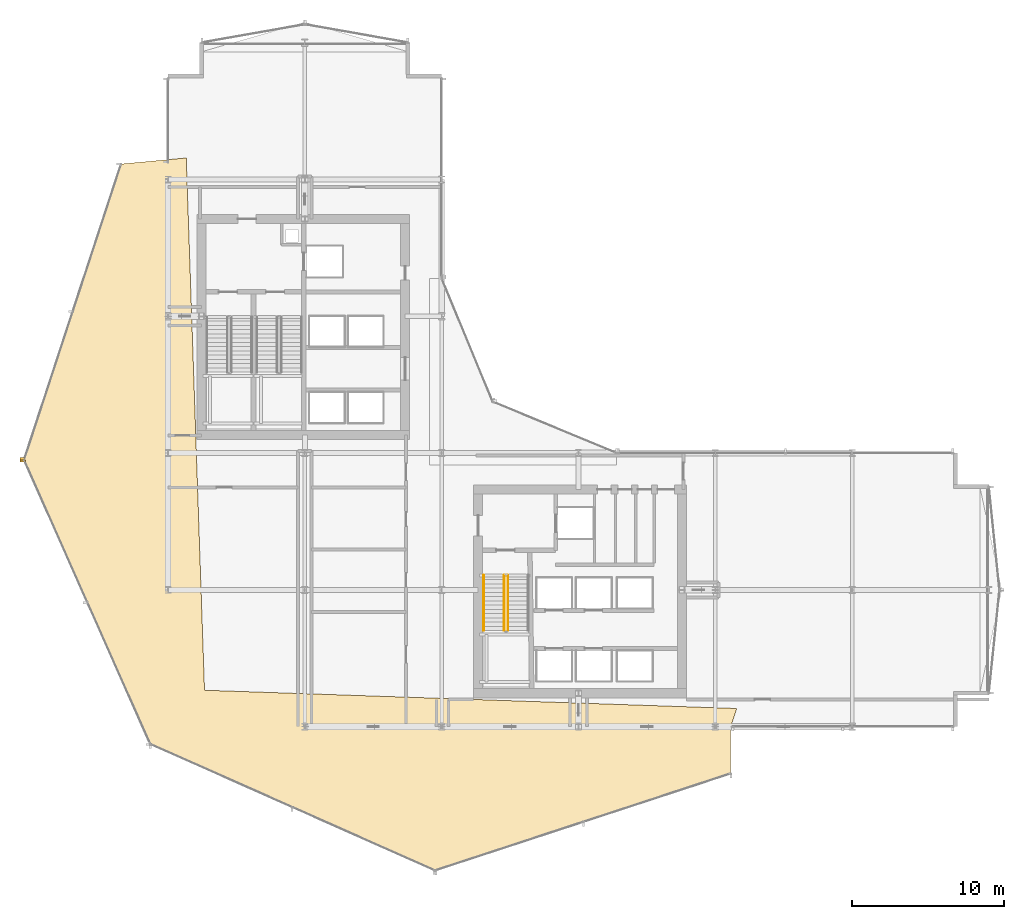
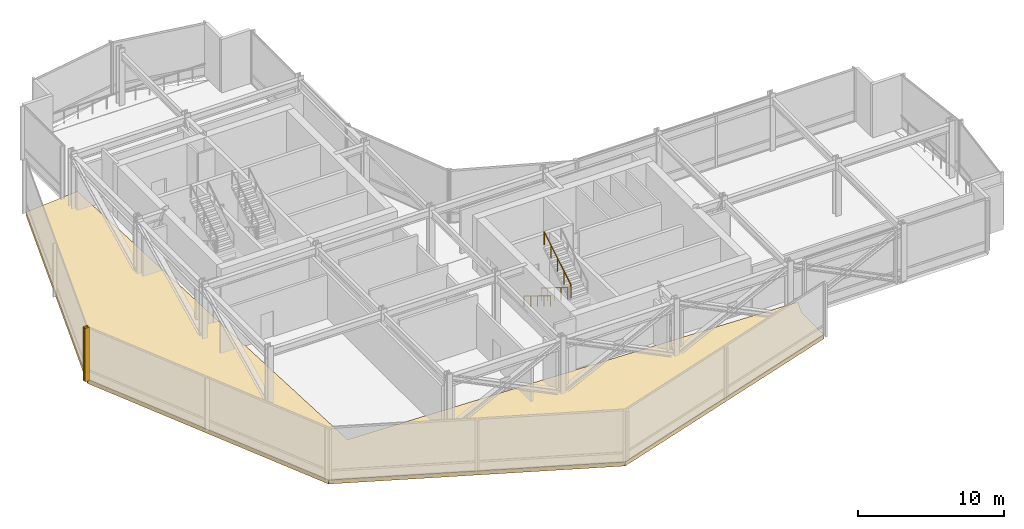
# One storey, part 38 of 42: 3 railings, 2 shading devices, 1 covering.
"""IFC4 building model written with IfcOpenShell, lengths in metres."""

from ifc_helpers import new_model, si_unit, direction, frame, origin, origin_2d, place, context, subcontext, project, spatial, polyline, rectangle, circle, outline, extrude, material, layer, layer_set, type_object, element, save


model = new_model("IFC4")

# Units and contexts
model_context = context("Model", 3, precision=1e-05, world=origin(), true_north=direction((0.0, 1.0)))
body_context = subcontext(model_context, "Body", "Model", "MODEL_VIEW")
ifc_project = project(units=[si_unit("LENGTHUNIT", "METRE"), si_unit("AREAUNIT", "SQUARE_METRE"), si_unit("VOLUMEUNIT", "CUBIC_METRE"), si_unit("PLANEANGLEUNIT", "RADIAN"), si_unit("MASSUNIT", "GRAM", prefix="KILO")], contexts=[model_context])

# Site, building, storey
site_placement = place(None, origin())
site = spatial("IfcSite", under=ifc_project, at=site_placement, CompositionType="ELEMENT")
building_placement = place(site_placement, origin())
building = spatial("IfcBuilding", under=site, at=building_placement, Name="Solvaryn Broadcast Tower", CompositionType="ELEMENT")
storey_placement = place(building_placement, frame((0.0, 0.0, 100.199951171875)))
storey = spatial("IfcBuildingStorey", under=building, at=storey_placement, Name="L24", CompositionType="ELEMENT", Elevation=100.199951171875)

# Covering
ifc_material_1 = material(Name="Sculpted Architectural Terracotta Wave Fascia", Category="masonry")
ifc_layer = layer(ifc_material_1, 0.340087890625)
ifc_layer_set = layer_set([ifc_layer], Name="CV-WAVE-TRAY")
covering_type = type_object("IfcCoveringType", Name="CV-WAVE-TRAY", PredefinedType="CLADDING", material=ifc_layer_set)
covering_placement = place(storey_placement, frame((0.0, 0.0, -0.300048828125)))
element("IfcCovering", 1, at=covering_placement, inside=storey, type_object=covering_type, Name="L24 Stepped Cylindrical Drum Floor Apron", PredefinedType="CLADDING", context=body_context, shape_type="SweptSolid", body=[
    extrude(outline(polyline([(10.199951171875, 46.416015625), (5.916015625, 46.01611328125), (-0.464111328125, 26.56005859375), (7.846923828125, 7.846923828125), (26.56005859375, -0.464111328125), (46.01611328125, 5.916015625), (46.01611328125, 9.0), (46.416015625, 10.199951171875), (11.39990234375, 11.39990234375), (10.199951171875, 46.416015625)])), origin(), (0.0, 0.0, 1.0), 0.330078125),
])

# Railings
ifc_material_2 = material(Name="Painted Steel Stair Well Guard", Category="steel")
railing_type_1 = type_object("IfcRailingType", Name="RL-STAIR-GUARD", PredefinedType="BALUSTRADE", material=ifc_material_2)
railing_1_placement = place(storey_placement, frame((31.110107421875, 18.9599609375, 0.17138671875)))
element("IfcRailing", 2, at=railing_1_placement, inside=storey, type_object=railing_type_1, Name="L24 ST3 stair guard 1", PredefinedType="BALUSTRADE", context=body_context, shape_type="SweptSolid", body=[
    extrude(circle(Radius=0.02392578125, at=origin_2d()), frame((0.0, 0.0, 1.076171875), z_axis=(0.0, -0.852824790078, 0.522197163366), x_axis=(1.0, 0.0, 0.0)), (0.0, 0.0, 1.0), 4.26806640625),
    extrude(circle(Radius=0.02099609375, at=origin_2d()), origin(), (0.0, 0.0, 1.0), 1.052001953125),
    extrude(circle(Radius=0.02099609375, at=origin_2d()), frame((0.0, -0.909912109375, 0.55712890625)), (0.0, 0.0, 1.0), 1.052001953125),
    extrude(circle(Radius=0.02099609375, at=origin_2d()), frame((0.0, -1.81982421875, 1.1142578125)), (0.0, 0.0, 1.0), 1.052001953125),
    extrude(circle(Radius=0.02099609375, at=origin_2d()), frame((0.0, -2.72998046875, 1.671630859375)), (0.0, 0.0, 1.0), 1.052001953125),
    extrude(circle(Radius=0.02099609375, at=origin_2d()), frame((0.0, -3.639892578125, 2.228759765625)), (0.0, 0.0, 1.0), 1.052001953125),
])
railing_2_placement = place(storey_placement, frame((31.360107421875, 15.320068359375, 2.571533203125)))
element("IfcRailing", 3, at=railing_2_placement, inside=storey, type_object=railing_type_1, Name="L24 ST3 stair guard 3", PredefinedType="BALUSTRADE", context=body_context, shape_type="SweptSolid", body=[
    extrude(circle(Radius=0.02392578125, at=origin_2d()), frame((0.0, 0.0, 1.076171875), z_axis=(0.0, 0.852850264322, 0.5221555579), x_axis=(-1.0, 0.0, 0.0)), (0.0, 0.0, 1.0), 4.267822265625),
    extrude(circle(Radius=0.02099609375, at=origin_2d()), origin(), (0.0, 0.0, 1.0), 1.052001953125),
    extrude(circle(Radius=0.02099609375, at=origin_2d()), frame((0.0, 0.909912109375, 0.55712890625)), (0.0, 0.0, 1.0), 1.052001953125),
    extrude(circle(Radius=0.02099609375, at=origin_2d()), frame((0.0, 1.81982421875, 1.1142578125)), (0.0, 0.0, 1.0), 1.052001953125),
    extrude(circle(Radius=0.02099609375, at=origin_2d()), frame((0.0, 2.72998046875, 1.67138671875)), (0.0, 0.0, 1.0), 1.052001953125),
    extrude(circle(Radius=0.02099609375, at=origin_2d()), frame((0.0, 3.639892578125, 2.228515625)), (0.0, 0.0, 1.0), 1.052001953125),
])
ifc_material_3 = material(Name="Brushed Stainless Steel Tubular Handrail", Category="steel")
railing_type_2 = type_object("IfcRailingType", Name="RL-STAIR-HANDRAIL", PredefinedType="HANDRAIL", material=ifc_material_3)
railing_3_placement = place(storey_placement, frame((29.77001953125, 18.9599609375, 0.17138671875)))
element("IfcRailing", 4, at=railing_3_placement, inside=storey, type_object=railing_type_2, Name="L24 ST3 stair handrail 1", PredefinedType="HANDRAIL", context=body_context, shape_type="SweptSolid", body=[
    extrude(circle(Radius=0.02392578125, at=origin_2d()), frame((0.0, 0.0, 0.8759765625), z_axis=(0.0, -0.852824790078, 0.522197163366), x_axis=(1.0, 0.0, 0.0)), (0.0, 0.0, 1.0), 4.26806640625),
    extrude(circle(Radius=0.02099609375, at=origin_2d()), origin(), (0.0, 0.0, 1.0), 0.851806640625),
    extrude(circle(Radius=0.02099609375, at=origin_2d()), frame((0.0, -0.909912109375, 0.55712890625)), (0.0, 0.0, 1.0), 0.851806640625),
    extrude(circle(Radius=0.02099609375, at=origin_2d()), frame((0.0, -1.81982421875, 1.1142578125)), (0.0, 0.0, 1.0), 0.851806640625),
    extrude(circle(Radius=0.02099609375, at=origin_2d()), frame((0.0, -2.72998046875, 1.671630859375)), (0.0, 0.0, 1.0), 0.851806640625),
    extrude(circle(Radius=0.02099609375, at=origin_2d()), frame((0.0, -3.639892578125, 2.228759765625)), (0.0, 0.0, 1.0), 0.851806640625),
])

# Shading devices
ifc_material_4 = material(Name="Anodised Aluminium Acoustic Louvre", Category="aluminium")
shading_device_type = type_object("IfcShadingDeviceType", Name="LV-01 Plant Intake Louvre", PredefinedType="USERDEFINED", material=ifc_material_4)
for number, where, z_axis, x_axis, name in (
    (5, (-0.568603515625, 26.6259765625, 0.0), (0.0, 0.0, 1.0), (1.0, 0.0, 0.0), "L24 Plant Acoustic Louvre LV-CW-L24-DR1/M02"),
    (6, (-0.561279296875, 26.484130859375, 0.0), (0.0, 0.0, 1.0), (1.0, 0.0, 0.0), "L24 Plant Acoustic Louvre LV-CW-L24-DR2/M00"),
):
    element("IfcShadingDevice", number, at=place(storey_placement, frame(where, z_axis=z_axis, x_axis=x_axis)), inside=storey, type_object=shading_device_type, Name=name, ObjectType="LOUVRE", PredefinedType="USERDEFINED", context=body_context, shape_type="SweptSolid", body=[
        extrude(rectangle(XDim=0.340087890625, YDim=0.139892578125, at=origin_2d()), origin(), (0.0, 0.0, 1.0), 4.469970703125),
    ])

save(model, "model.ifc")
